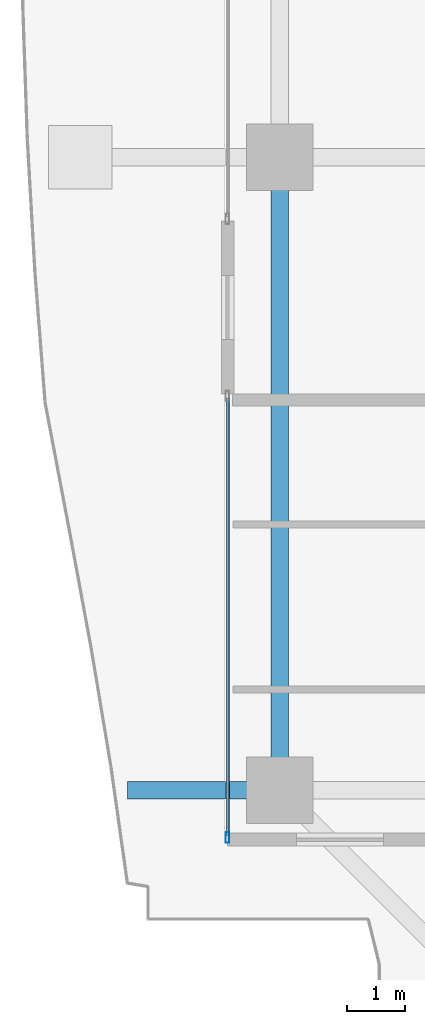
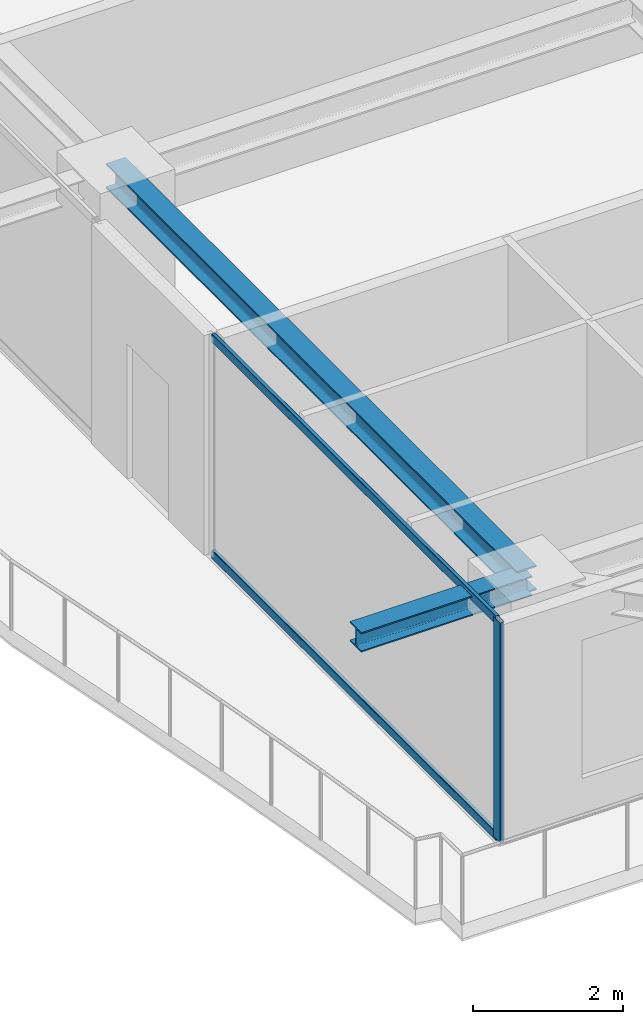
# One storey, part 3 of 39: 3 members, 2 beams, 1 element without a shape of its own.
"""IFC4 building model written with IfcOpenShell, lengths in metres."""

from ifc_helpers import new_model, si_unit, direction, frame, origin, origin_2d, place, context, subcontext, project, spatial, hollow_rectangle, i_section, extrude, source, transform, mapped, material, layer, layer_set, material_profile, profile_set, type_object, element, aggregate, save


model = new_model("IFC4")

# Units and contexts
model_context = context("Model", 3, precision=1e-05, world=origin(), true_north=direction((0.0, 1.0)))
body_context = subcontext(model_context, "Body", "Model", "MODEL_VIEW")
ifc_project = project(units=[si_unit("LENGTHUNIT", "METRE"), si_unit("AREAUNIT", "SQUARE_METRE"), si_unit("VOLUMEUNIT", "CUBIC_METRE"), si_unit("PLANEANGLEUNIT", "RADIAN"), si_unit("MASSUNIT", "GRAM", prefix="KILO")], contexts=[model_context])

# Site, building, storey
site_placement = place(None, origin())
site = spatial("IfcSite", under=ifc_project, at=site_placement, CompositionType="ELEMENT")
building_placement = place(site_placement, origin())
building = spatial("IfcBuilding", under=site, at=building_placement, Name="Serunith Strait Residences", CompositionType="ELEMENT")
storey_placement = place(building_placement, frame((0.0, 0.0, 222.0)))
storey = spatial("IfcBuildingStorey", under=building, at=storey_placement, Name="L55", CompositionType="ELEMENT", Elevation=222.0)

# Beams
ifc_material_1 = material(Name="Steel S355J2", Category="steel")
ifc_material_profile_1 = material_profile(ifc_material_1, i_section(OverallWidth=0.300048828125, OverallDepth=0.39990234375, WebThickness=0.013427734375, FlangeThickness=0.02392578125, FilletRadius=0.027099609375, at=origin_2d()), Name="HEB 400")
ifc_profile_set_1 = profile_set([ifc_material_profile_1], Name="Steel S355J2")
beam_type_1 = type_object("IfcBeamType", Name="BM-HEB400", PredefinedType="BEAM", material=ifc_profile_set_1)
shared_shape_1 = source(origin(), body_context, "Body", "SweptSolid", [
    extrude(i_section(OverallWidth=0.300048828125, OverallDepth=0.39990234375, WebThickness=0.013427734375, FlangeThickness=0.02392578125, FilletRadius=0.027099609375, at=origin_2d()), origin(), (0.0, 0.0, 1.0), 10.949951171875),
])
beam_1_placement = place(storey_placement, frame((8.300048828125, 21.0, 3.386962890625), z_axis=(0.0, -1.0, 0.0), x_axis=(1.0, 0.0, 0.0)))
element("IfcBeam", 1, at=beam_1_placement, inside=storey, type_object=beam_type_1, Name="L55 Perimeter Ring Beam 15", PredefinedType="BEAM", context=body_context, shape_type="MappedRepresentation", body=[
    mapped(shared_shape_1, transform((0.0, 0.0, 0.0), scale=1.0)),
])
ifc_material_profile_2 = material_profile(ifc_material_1, i_section(OverallWidth=0.300048828125, OverallDepth=0.320068359375, WebThickness=0.011474609375, FlangeThickness=0.0205078125, FilletRadius=0.027099609375, at=origin_2d()), Name="HEB 320")
ifc_profile_set_2 = profile_set([ifc_material_profile_2], Name="Steel S355J2")
beam_type_2 = type_object("IfcBeamType", Name="BM-HEB320", PredefinedType="BEAM", material=ifc_profile_set_2)
shared_shape_2 = source(origin(), body_context, "Body", "SweptSolid", [
    extrude(i_section(OverallWidth=0.300048828125, OverallDepth=0.320068359375, WebThickness=0.011474609375, FlangeThickness=0.0205078125, FilletRadius=0.027099609375, at=origin_2d()), origin(), (0.0, 0.0, 1.0), 2.6318359375),
])
beam_2_placement = place(storey_placement, frame((8.300048828125, 10.050048828125, 3.39697265625), z_axis=(-1.0, 0.0, 0.0), x_axis=(0.0, -1.0, 0.0)))
element("IfcBeam", 2, at=beam_2_placement, inside=storey, type_object=beam_type_2, Name="L56 Cantilevered Balcony Rib TC-W1", PredefinedType="BEAM", context=body_context, shape_type="MappedRepresentation", body=[
    mapped(shared_shape_2, transform((0.0, 0.0, 0.0), scale=1.0)),
])

# Curtain wall, members
ifc_material_2 = material(Name="Pale-Champagne Anodised Aluminium", Category="aluminium")
ifc_layer = layer(ifc_material_2, 0.199951171875, Name="Pale-Champagne Anodised Aluminium")
ifc_layer_set = layer_set([ifc_layer], Name="Pale-Champagne Anodised Aluminium")
curtain_wall_type = type_object("IfcCurtainWallType", Name="CW-SYS4", PredefinedType="NOTDEFINED", material=ifc_layer_set)
curtain_wall_placement = place(storey_placement, origin())
curtain_wall = element("IfcCurtainWall", 3, at=curtain_wall_placement, inside=storey, type_object=curtain_wall_type, Name="L55 W Unitised Fritted Curtain Wall", PredefinedType="NOTDEFINED")
ifc_material_profile_3 = material_profile(ifc_material_2, hollow_rectangle(XDim=0.06494140625, YDim=0.179931640625, WallThickness=0.00341796875, InnerFilletRadius=0.00537109375, OuterFilletRadius=0.0087890625, at=origin_2d()), Name="ALU 180x65x3.5")
ifc_profile_set_3 = profile_set([ifc_material_profile_3], Name="Pale-Champagne Anodised Aluminium")
member_type_1 = type_object("IfcMemberType", Name="CW-SYS4-MULL", PredefinedType="MULLION", material=ifc_profile_set_3)
shared_shape_3 = source(origin(), body_context, "Body", "SweptSolid", [
    extrude(hollow_rectangle(XDim=0.06494140625, YDim=0.179931640625, WallThickness=0.00341796875, InnerFilletRadius=0.00537109375, OuterFilletRadius=0.0087890625, at=origin_2d()), origin(), (0.0, 0.0, 1.0), 3.574951171875),
])
member_1_placement = place(storey_placement, frame((7.39990234375, 9.232421875, 0.0), z_axis=(0.0, 0.0, 1.0), x_axis=(1.0, 0.0, 0.0)))
member_1 = element("IfcMember", 4, at=member_1_placement, type_object=member_type_1, Name="CW-4 mullion 2", PredefinedType="MULLION", context=body_context, shape_type="MappedRepresentation", body=[
    mapped(shared_shape_3, transform((0.0, 0.0, 0.0), scale=1.0)),
])
ifc_material_profile_4 = material_profile(ifc_material_2, hollow_rectangle(XDim=0.06005859375, YDim=0.139892578125, WallThickness=0.00341796875, InnerFilletRadius=0.00537109375, OuterFilletRadius=0.0087890625, at=origin_2d()), Name="ALU 140x60x3.5")
ifc_profile_set_4 = profile_set([ifc_material_profile_4], Name="Pale-Champagne Anodised Aluminium")
member_type_2 = type_object("IfcMemberType", Name="CW-SYS4-TRAN", PredefinedType="USERDEFINED", material=ifc_profile_set_4)
shared_shape_4 = source(origin(), body_context, "Body", "SweptSolid", [
    extrude(hollow_rectangle(XDim=0.06005859375, YDim=0.139892578125, WallThickness=0.00341796875, InnerFilletRadius=0.00537109375, OuterFilletRadius=0.0087890625, at=origin_2d()), origin(), (0.0, 0.0, 1.0), 7.570068359375),
])
member_2_placement = place(storey_placement, frame((7.39990234375, 16.8349609375, 0.030029296875), z_axis=(0.0, -1.0, 0.0), x_axis=(1.0, 0.0, 0.0)))
member_2 = element("IfcMember", 5, at=member_2_placement, type_object=member_type_2, Name="CW-4 transom 1.1", ObjectType="TRANSOM", PredefinedType="USERDEFINED", context=body_context, shape_type="MappedRepresentation", body=[
    mapped(shared_shape_4, transform((0.0, 0.0, 0.0), scale=1.0)),
])
member_3_placement = place(storey_placement, frame((7.39990234375, 16.8349609375, 3.544921875), z_axis=(0.0, -1.0, 0.0), x_axis=(1.0, 0.0, 0.0)))
member_3 = element("IfcMember", 6, at=member_3_placement, type_object=member_type_2, Name="CW-4 transom 1.2", ObjectType="TRANSOM", PredefinedType="USERDEFINED", context=body_context, shape_type="MappedRepresentation", body=[
    mapped(shared_shape_4, transform((0.0, 0.0, 0.0), scale=1.0)),
])
aggregate(curtain_wall, [member_1, member_2, member_3])

save(model, "model.ifc")
